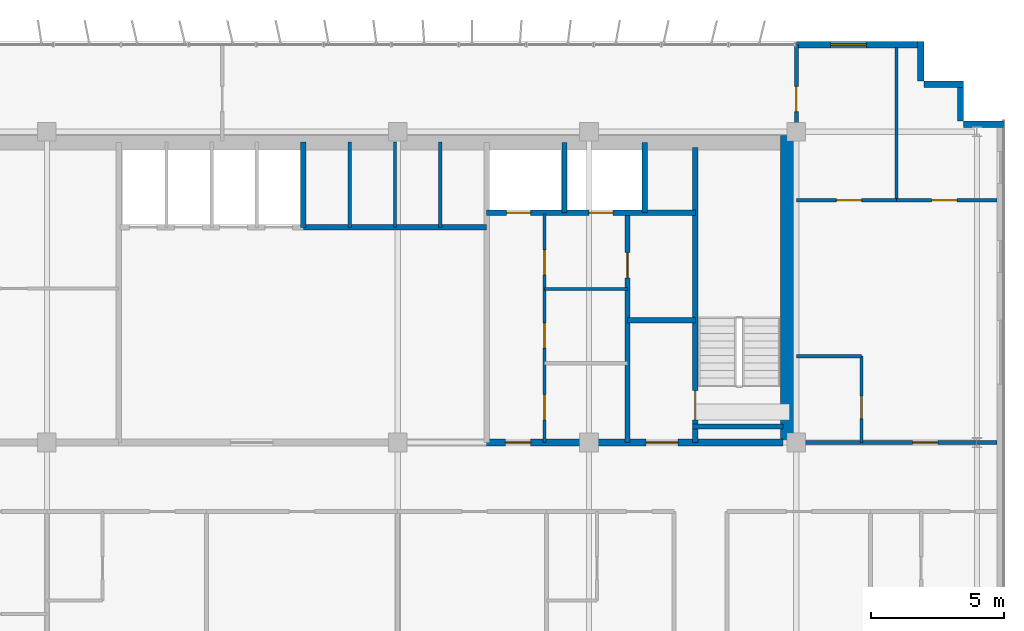
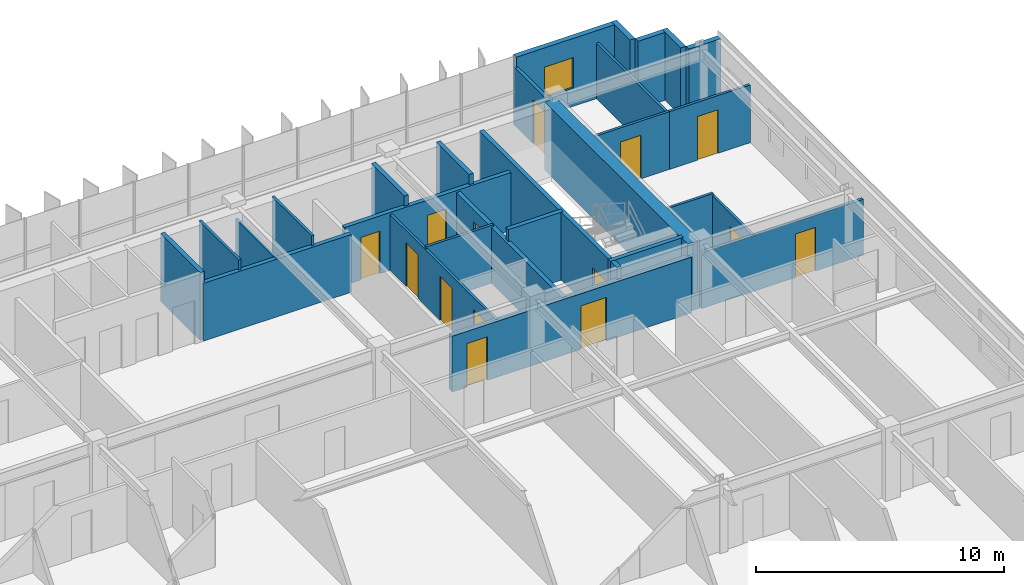
# One storey, part 18 of 21: 28 walls, 14 doors, 1 window, 15 openings.
"""IFC4 building model written with IfcOpenShell, lengths in metres."""

from ifc_helpers import new_model, si_unit, direction, frame, frame_2d, origin, place, context, subcontext, project, spatial, rectangle, extrude, source, transform, mapped, material, layer, layer_set, type_object, element, fill, save


model = new_model("IFC4")

# Units and contexts
model_context = context("Model", 3, precision=1e-05, world=origin(), true_north=direction((0.0, 1.0)))
body_context = subcontext(model_context, "Body", "Model", "MODEL_VIEW")
ifc_project = project(units=[si_unit("LENGTHUNIT", "METRE"), si_unit("AREAUNIT", "SQUARE_METRE"), si_unit("VOLUMEUNIT", "CUBIC_METRE"), si_unit("PLANEANGLEUNIT", "RADIAN"), si_unit("MASSUNIT", "GRAM", prefix="KILO")], contexts=[model_context])

# Site, building, storey
site_placement = place(None, origin())
site = spatial("IfcSite", under=ifc_project, at=site_placement, CompositionType="ELEMENT")
building_placement = place(site_placement, origin())
building = spatial("IfcBuilding", under=site, at=building_placement, Name="Trelvane Seafront Commons", CompositionType="ELEMENT")
storey_placement = place(building_placement, frame((0.0, 0.0, 157.300048828125)))
storey = spatial("IfcBuildingStorey", under=building, at=storey_placement, Name="L41", CompositionType="ELEMENT", Elevation=157.300048828125)

# Wall, opening, window
ifc_material_1 = material(Name="Precast concrete C40/50", Category="concrete")
ifc_layer_1 = layer(ifc_material_1, 0.239990234375, Name="ARCH-WALL-EXT240")
ifc_layer_set_1 = layer_set([ifc_layer_1], Name="Precast concrete C40/50")
wall_type_1 = type_object("IfcWallType", Name="ARCH-WALL-EXT240", PredefinedType="SOLIDWALL", material=ifc_layer_set_1)
wall_1_placement = place(storey_placement, frame((58.800048828125, 48.3701171875, 0.0), z_axis=(0.0, 0.0, 1.0), x_axis=(1.0, 0.0, 0.0)))
wall_1 = element("IfcWall", 1, at=wall_1_placement, inside=storey, type_object=wall_type_1, Name="EW-L41-NE-0801", PredefinedType="SOLIDWALL", context=body_context, shape_type="SweptSolid", body=[
    extrude(rectangle(XDim=4.699951171875, YDim=0.239990234375, at=frame_2d((2.35009765625, 0.0))), origin(), (0.0, 0.0, 1.0), 3.349853515625),
])
opening_1_placement = place(wall_1_placement, frame((1.29296875, 0.0, 0.89990234375)))
opening_1 = element("IfcOpeningElement", 2, at=opening_1_placement, cuts=wall_1, Name="Opening W09", PredefinedType="OPENING", context=body_context, shape_type="SweptSolid", body=[
    extrude(rectangle(XDim=1.35009765625, YDim=1.5, at=frame_2d((0.675048828125, 0.75))), frame((0.0, 0.1298828125, 0.0), z_axis=(0.0, -1.0, 0.0), x_axis=(1.0, 0.0, 0.0)), (0.0, 0.0, 1.0), 0.260009765625),
])
ifc_material_2 = material(Name="Low-E coastal double glazing", Category="glass")
window_type = type_object("IfcWindowType", Name="ARCH-WIN-W09", PartitioningType="SINGLE_PANEL", PredefinedType="WINDOW", material=ifc_material_2)
shared_shape_1 = source(origin(), body_context, "Body", "SweptSolid", [
    extrude(rectangle(XDim=1.35009765625, YDim=1.5, at=frame_2d((0.675048828125, 0.75))), frame((0.0, 0.030029296875, 0.0), z_axis=(0.0, -1.0, 0.0), x_axis=(1.0, 0.0, 0.0)), (0.0, 0.0, 1.0), 0.06005859375),
])
window_placement = place(opening_1_placement, origin())
window = element("IfcWindow", 3, at=window_placement, inside=storey, type_object=window_type, Name="WIN-L41-00955", OverallHeight=1.5, OverallWidth=1.35009765625, PartitioningType="SINGLE_PANEL", PredefinedType="WINDOW", context=body_context, shape_type="MappedRepresentation", body=[
    mapped(shared_shape_1, transform((0.0, 0.0, 0.0), x_axis=(1.0, 0.0, 0.0), y_axis=(0.0, 1.0, 0.0), z_axis=(0.0, 0.0, 1.0), scale=1.0)),
])
fill(opening_1, window)

# Walls
for number, where, z_axis, x_axis, name in (
    (4, (63.47998046875, 48.5, 0.0), (0.0, 0.0, 1.0), (0.0, -1.0, 0.0), "EW-L41-00810"),
    (5, (63.60009765625, 46.8798828125, 0.0), (0.0, 0.0, 1.0), (1.0, 0.0, 0.0), "EW-L41-00811"),
    (6, (64.97998046875, 47.0, 0.0), (0.0, 0.0, 1.0), (0.0, -1.0, 0.0), "EW-L41-00812"),
    (7, (65.10009765625, 45.3798828125, 0.0), (0.0, 0.0, 1.0), (1.0, 0.0, 0.0), "EW-L41-00813"),
):
    element("IfcWall", number, at=place(storey_placement, frame(where, z_axis=z_axis, x_axis=x_axis)), inside=storey, type_object=wall_type_1, Name=name, PredefinedType="SOLIDWALL", context=body_context, shape_type="SweptSolid", body=[
        extrude(rectangle(XDim=1.5, YDim=0.239990234375, at=frame_2d((0.75, 0.0))), origin(), (0.0, 0.0, 1.0), 3.349853515625),
    ])

# Wall, opening, door
ifc_material_3 = material(Name="Concrete C40/50", Category="concrete")
ifc_layer_2 = layer(ifc_material_3, 0.199951171875, Name="ARCH-WALL-FIRE200")
ifc_layer_set_2 = layer_set([ifc_layer_2], Name="Concrete C40/50")
wall_type_2 = type_object("IfcWallType", Name="ARCH-WALL-FIRE200", PredefinedType="PARTITIONING", material=ifc_layer_set_2)
wall_2_placement = place(storey_placement, frame((52.449951171875, 33.39990234375, 0.0), z_axis=(0.0, 0.0, 1.0), x_axis=(0.0, 1.0, 0.0)))
wall_2 = element("IfcWall", 8, at=wall_2_placement, inside=storey, type_object=wall_type_2, Name="W-L41-ST2V-W-031", PredefinedType="PARTITIONING", context=body_context, shape_type="SweptSolid", body=[
    extrude(rectangle(XDim=8.650146484375, YDim=0.199951171875, at=frame_2d((4.3251953125, 0.0))), origin(), (0.0, 0.0, 1.0), 2.75),
])
opening_2_placement = place(wall_2_placement, frame((6.199951171875, 0.0, 0.0)))
opening_2 = element("IfcOpeningElement", 9, at=opening_2_placement, cuts=wall_2, Name="Opening FD-L41-15", PredefinedType="OPENING", context=body_context, shape_type="SweptSolid", body=[
    extrude(rectangle(XDim=0.949951171875, YDim=2.14990234375, at=frame_2d((0.47509765625, 1.074951171875))), frame((0.0, 0.10986328125, 0.0), z_axis=(0.0, -1.0, 0.0), x_axis=(1.0, 0.0, 0.0)), (0.0, 0.0, 1.0), 0.219970703125),
])
ifc_material_4 = material(Name="Powder-coated aluminium frame", Category="aluminium")
door_type_1 = type_object("IfcDoorType", Name="ARCH-DR-FD60-950", OperationType="NOTDEFINED", PredefinedType="DOOR", material=ifc_material_4)
shared_shape_2 = source(origin(), body_context, "Body", "SweptSolid", [
    extrude(rectangle(XDim=0.949951171875, YDim=2.14990234375, at=frame_2d((0.47509765625, 1.074951171875))), frame((0.0, 0.02490234375, 0.0), z_axis=(0.0, -1.0, 0.0), x_axis=(1.0, 0.0, 0.0)), (0.0, 0.0, 1.0), 0.050048828125),
])
door_1_placement = place(opening_2_placement, origin())
door_1 = element("IfcDoor", 10, at=door_1_placement, inside=storey, type_object=door_type_1, Name="L41 Cleaner Store Door", OperationType="SINGLE_SWING_LEFT", OverallHeight=2.14990234375, OverallWidth=0.949951171875, PredefinedType="DOOR", context=body_context, shape_type="MappedRepresentation", body=[
    mapped(shared_shape_2, transform((0.0, 0.0, 0.0), x_axis=(1.0, 0.0, 0.0), y_axis=(0.0, 1.0, 0.0), z_axis=(0.0, 0.0, 1.0), scale=1.0)),
])
fill(opening_2, door_1)

# Wall
wall_3_placement = place(storey_placement, frame((52.449951171875, 38.0, 0.0), z_axis=(0.0, 0.0, 1.0), x_axis=(1.0, 0.0, 0.0)))
element("IfcWall", 11, at=wall_3_placement, inside=storey, type_object=wall_type_2, Name="W-L41-ST2V-N-032", PredefinedType="PARTITIONING", context=body_context, shape_type="SweptSolid", body=[
    extrude(rectangle(XDim=2.550048828125, YDim=0.199951171875, at=frame_2d((1.27490234375, 0.0))), origin(), (0.0, 0.0, 1.0), 3.349853515625),
])

# Wall, openings, doors
ifc_layer_3 = layer(ifc_material_3, 0.25, Name="ARCH-WALL-FIRE250")
ifc_layer_set_3 = layer_set([ifc_layer_3], Name="Concrete C40/50")
wall_type_3 = type_object("IfcWallType", Name="ARCH-WALL-FIRE250", PredefinedType="PARTITIONING", material=ifc_layer_set_3)
wall_4_placement = place(storey_placement, frame((47.14990234375, 33.39990234375, 0.0), z_axis=(0.0, 0.0, 1.0), x_axis=(1.0, 0.0, 0.0)))
wall_4 = element("IfcWall", 12, at=wall_4_placement, inside=storey, type_object=wall_type_3, Name="W-L41-CS-EAST-036", PredefinedType="PARTITIONING", context=body_context, shape_type="SweptSolid", body=[
    extrude(rectangle(XDim=11.150146484375, YDim=0.25, at=frame_2d((5.5751953125, 0.0))), origin(), (0.0, 0.0, 1.0), 2.75),
])
opening_3_placement = place(wall_4_placement, frame((0.699951171875, 0.0, 0.0)))
opening_3 = element("IfcOpeningElement", 13, at=opening_3_placement, cuts=wall_4, Name="Opening FD-L41-19", PredefinedType="OPENING", context=body_context, shape_type="SweptSolid", body=[
    extrude(rectangle(XDim=0.949951171875, YDim=2.14990234375, at=frame_2d((0.47509765625, 1.074951171875))), frame((0.0, 0.135009765625, 0.0), z_axis=(0.0, -1.0, 0.0), x_axis=(1.0, 0.0, 0.0)), (0.0, 0.0, 1.0), 0.27001953125),
])
opening_4_placement = place(wall_4_placement, frame((6.0, 0.0, 0.0)))
opening_4 = element("IfcOpeningElement", 14, at=opening_4_placement, cuts=wall_4, Name="Opening FD-L41-20", PredefinedType="OPENING", context=body_context, shape_type="SweptSolid", body=[
    extrude(rectangle(XDim=1.199951171875, YDim=2.14990234375, at=frame_2d((0.60009765625, 1.074951171875))), frame((0.0, 0.135009765625, 0.0), z_axis=(0.0, -1.0, 0.0), x_axis=(1.0, 0.0, 0.0)), (0.0, 0.0, 1.0), 0.27001953125),
])
door_2_placement = place(opening_3_placement, origin())
door_2 = element("IfcDoor", 15, at=door_2_placement, inside=storey, type_object=door_type_1, Name="L41 Core Service Lobby Door", OperationType="SINGLE_SWING_LEFT", OverallHeight=2.14990234375, OverallWidth=0.949951171875, PredefinedType="DOOR", context=body_context, shape_type="MappedRepresentation", body=[
    mapped(shared_shape_2, transform((0.0, 0.0, 0.0), x_axis=(1.0, 0.0, 0.0), y_axis=(0.0, 1.0, 0.0), z_axis=(0.0, 0.0, 1.0), scale=1.0)),
])
fill(opening_3, door_2)
door_type_2 = type_object("IfcDoorType", Name="ARCH-DR-FD60-1200", OperationType="NOTDEFINED", PredefinedType="DOOR", material=ifc_material_4)
shared_shape_3 = source(origin(), body_context, "Body", "SweptSolid", [
    extrude(rectangle(XDim=1.199951171875, YDim=2.14990234375, at=frame_2d((0.60009765625, 1.074951171875))), frame((0.0, 0.02490234375, 0.0), z_axis=(0.0, -1.0, 0.0), x_axis=(1.0, 0.0, 0.0)), (0.0, 0.0, 1.0), 0.050048828125),
])
door_3_placement = place(opening_4_placement, origin())
door_3 = element("IfcDoor", 16, at=door_3_placement, inside=storey, type_object=door_type_2, Name="L41 East Stair Vestibule Fire Door", OperationType="SINGLE_SWING_RIGHT", OverallHeight=2.14990234375, OverallWidth=1.199951171875, PredefinedType="DOOR", context=body_context, shape_type="MappedRepresentation", body=[
    mapped(shared_shape_3, transform((0.0, 0.0, 0.0), x_axis=(1.0, 0.0, 0.0), y_axis=(0.0, 1.0, 0.0), z_axis=(0.0, 0.0, 1.0), scale=1.0)),
])
fill(opening_4, door_3)

# Walls
ifc_material_5 = material(Name="Gypsum Drywall Acoustic Partition")
ifc_layer_4 = layer(ifc_material_5, 0.1201171875, Name="ARCH-WALL-PART120")
ifc_layer_set_4 = layer_set([ifc_layer_4], Name="Gypsum Drywall Acoustic Partition")
wall_type_4 = type_object("IfcWallType", Name="ARCH-WALL-PART120", PredefinedType="PARTITIONING", material=ifc_layer_set_4)
wall_5_placement = place(storey_placement, frame((42.0, 41.5, 0.0), z_axis=(0.0, 0.0, 1.0), x_axis=(0.0, 1.0, 0.0)))
element("IfcWall", 17, at=wall_5_placement, inside=storey, type_object=wall_type_4, Name="W-L41-PH-DIV1-022", PredefinedType="PARTITIONING", context=body_context, shape_type="SweptSolid", body=[
    extrude(rectangle(XDim=3.199951171875, YDim=0.1201171875, at=frame_2d((1.60009765625, 0.0))), origin(), (0.0, 0.0, 1.0), 3.349853515625),
])
wall_6_placement = place(storey_placement, frame((43.699951171875, 41.5, 0.0), z_axis=(0.0, 0.0, 1.0), x_axis=(0.0, 1.0, 0.0)))
element("IfcWall", 18, at=wall_6_placement, inside=storey, type_object=wall_type_4, Name="W-L41-PH-DIV2-023", PredefinedType="PARTITIONING", context=body_context, shape_type="SweptSolid", body=[
    extrude(rectangle(XDim=3.199951171875, YDim=0.1201171875, at=frame_2d((1.60009765625, 0.0))), origin(), (0.0, 0.0, 1.0), 2.849853515625),
])
wall_7_placement = place(storey_placement, frame((45.39990234375, 41.5, 0.0), z_axis=(0.0, 0.0, 1.0), x_axis=(0.0, 1.0, 0.0)))
element("IfcWall", 19, at=wall_7_placement, inside=storey, type_object=wall_type_4, Name="W-L41-PH-DIV3-024", PredefinedType="PARTITIONING", context=body_context, shape_type="SweptSolid", body=[
    extrude(rectangle(XDim=3.199951171875, YDim=0.1201171875, at=frame_2d((1.60009765625, 0.0))), origin(), (0.0, 0.0, 1.0), 3.349853515625),
])

# Wall, openings, doors
wall_8_placement = place(storey_placement, frame((49.320068359375, 33.39990234375, 0.0), z_axis=(0.0, 0.0, 1.0), x_axis=(0.0, 1.0, 0.0)))
wall_8 = element("IfcWall", 20, at=wall_8_placement, inside=storey, type_object=wall_type_4, Name="W-L41-CYC3-V-033", PredefinedType="PARTITIONING", context=body_context, shape_type="SweptSolid", body=[
    extrude(rectangle(XDim=8.60009765625, YDim=0.1201171875, at=frame_2d((4.300048828125, 0.0))), origin(), (0.0, 0.0, 1.0), 2.75),
])
opening_5_placement = place(wall_8_placement, frame((0.85009765625, 0.0, 0.0)))
opening_5 = element("IfcOpeningElement", 21, at=opening_5_placement, cuts=wall_8, Name="Opening D-L41-16", PredefinedType="OPENING", context=body_context, shape_type="SweptSolid", body=[
    extrude(rectangle(XDim=0.949951171875, YDim=2.14990234375, at=frame_2d((0.47509765625, 1.074951171875))), frame((0.0, 0.070068359375, 0.0), z_axis=(0.0, -1.0, 0.0), x_axis=(1.0, 0.0, 0.0)), (0.0, 0.0, 1.0), 0.14013671875),
])
opening_6_placement = place(wall_8_placement, frame((3.550048828125, 0.0, 0.0)))
opening_6 = element("IfcOpeningElement", 22, at=opening_6_placement, cuts=wall_8, Name="Opening D-L41-17", PredefinedType="OPENING", context=body_context, shape_type="SweptSolid", body=[
    extrude(rectangle(XDim=0.949951171875, YDim=2.14990234375, at=frame_2d((0.47509765625, 1.074951171875))), frame((0.0, 0.070068359375, 0.0), z_axis=(0.0, -1.0, 0.0), x_axis=(1.0, 0.0, 0.0)), (0.0, 0.0, 1.0), 0.14013671875),
])
opening_7_placement = place(wall_8_placement, frame((6.300048828125, 0.0, 0.0)))
opening_7 = element("IfcOpeningElement", 23, at=opening_7_placement, cuts=wall_8, Name="Opening D-L41-18", PredefinedType="OPENING", context=body_context, shape_type="SweptSolid", body=[
    extrude(rectangle(XDim=0.949951171875, YDim=2.14990234375, at=frame_2d((0.47509765625, 1.074951171875))), frame((0.0, 0.070068359375, 0.0), z_axis=(0.0, -1.0, 0.0), x_axis=(1.0, 0.0, 0.0)), (0.0, 0.0, 1.0), 0.14013671875),
])
ifc_material_6 = material(Name="Acoustic timber door leaf", Category="wood")
door_type_3 = type_object("IfcDoorType", Name="ARCH-DR-INT950", OperationType="NOTDEFINED", PredefinedType="DOOR", material=ifc_material_6)
door_4_placement = place(opening_5_placement, origin())
door_4 = element("IfcDoor", 24, at=door_4_placement, inside=storey, type_object=door_type_3, Name="L41 Accessible WC Door", OperationType="SINGLE_SWING_RIGHT", OverallHeight=2.14990234375, OverallWidth=0.949951171875, PredefinedType="DOOR", context=body_context, shape_type="MappedRepresentation", body=[
    mapped(shared_shape_2, transform((0.0, 0.0, 0.0), x_axis=(1.0, 0.0, 0.0), y_axis=(0.0, 1.0, 0.0), z_axis=(0.0, 0.0, 1.0), scale=1.0)),
])
fill(opening_5, door_4)
door_5_placement = place(opening_6_placement, origin())
door_5 = element("IfcDoor", 25, at=door_5_placement, inside=storey, type_object=door_type_3, Name="L41 Staff WC Door", OperationType="SINGLE_SWING_LEFT", OverallHeight=2.14990234375, OverallWidth=0.949951171875, PredefinedType="DOOR", context=body_context, shape_type="MappedRepresentation", body=[
    mapped(shared_shape_2, transform((0.0, 0.0, 0.0), x_axis=(1.0, 0.0, 0.0), y_axis=(0.0, 1.0, 0.0), z_axis=(0.0, 0.0, 1.0), scale=1.0)),
])
fill(opening_6, door_5)
door_6_placement = place(opening_7_placement, origin())
door_6 = element("IfcDoor", 26, at=door_6_placement, inside=storey, type_object=door_type_3, Name="L41 Electrical Room Door", OperationType="SINGLE_SWING_RIGHT", OverallHeight=2.14990234375, OverallWidth=0.949951171875, PredefinedType="DOOR", context=body_context, shape_type="MappedRepresentation", body=[
    mapped(shared_shape_2, transform((0.0, 0.0, 0.0), x_axis=(1.0, 0.0, 0.0), y_axis=(0.0, 1.0, 0.0), z_axis=(0.0, 0.0, 1.0), scale=1.0)),
])
fill(opening_7, door_6)

# Wall
wall_9_placement = place(storey_placement, frame((49.320068359375, 39.179931640625, 0.0), z_axis=(0.0, 0.0, 1.0), x_axis=(1.0, 0.0, 0.0)))
element("IfcWall", 27, at=wall_9_placement, inside=storey, type_object=wall_type_4, Name="W-L41-CYC3-H2-035", PredefinedType="PARTITIONING", context=body_context, shape_type="SweptSolid", body=[
    extrude(rectangle(XDim=3.1298828125, YDim=0.1201171875, at=frame_2d((1.56494140625, 0.0))), origin(), (0.0, 0.0, 1.0), 2.849853515625),
])

# Wall, opening, door
wall_10_placement = place(storey_placement, frame((61.25, 33.39990234375, 0.0), z_axis=(0.0, 0.0, 1.0), x_axis=(0.0, 1.0, 0.0)))
wall_10 = element("IfcWall", 28, at=wall_10_placement, inside=storey, type_object=wall_type_4, Name="W-L41-NE-BE-038", PredefinedType="PARTITIONING", context=body_context, shape_type="SweptSolid", body=[
    extrude(rectangle(XDim=3.25, YDim=0.1201171875, at=frame_2d((1.625, 0.0))), origin(), (0.0, 0.0, 1.0), 2.75),
])
opening_8_placement = place(wall_10_placement, frame((0.89990234375, 0.0, 0.0)))
opening_8 = element("IfcOpeningElement", 29, at=opening_8_placement, cuts=wall_10, Name="Opening D-L41-22", PredefinedType="OPENING", context=body_context, shape_type="SweptSolid", body=[
    extrude(rectangle(XDim=0.85009765625, YDim=2.10009765625, at=frame_2d((0.425048828125, 1.050048828125))), frame((0.0, 0.070068359375, 0.0), z_axis=(0.0, -1.0, 0.0), x_axis=(1.0, 0.0, 0.0)), (0.0, 0.0, 1.0), 0.14013671875),
])
door_type_4 = type_object("IfcDoorType", Name="ARCH-DR-INT850", OperationType="NOTDEFINED", PredefinedType="DOOR", material=ifc_material_6)
shared_shape_4 = source(origin(), body_context, "Body", "SweptSolid", [
    extrude(rectangle(XDim=0.85009765625, YDim=2.10009765625, at=frame_2d((0.425048828125, 1.050048828125))), frame((0.0, 0.02490234375, 0.0), z_axis=(0.0, -1.0, 0.0), x_axis=(1.0, 0.0, 0.0)), (0.0, 0.0, 1.0), 0.050048828125),
])
door_7_placement = place(opening_8_placement, origin())
door_7 = element("IfcDoor", 30, at=door_7_placement, inside=storey, type_object=door_type_4, Name="L41 Door 22", OperationType="SINGLE_SWING_RIGHT", OverallHeight=2.10009765625, OverallWidth=0.85009765625, PredefinedType="DOOR", context=body_context, shape_type="MappedRepresentation", body=[
    mapped(shared_shape_4, transform((0.0, 0.0, 0.0), x_axis=(1.0, 0.0, 0.0), y_axis=(0.0, 1.0, 0.0), z_axis=(0.0, 0.0, 1.0), scale=1.0)),
])
fill(opening_8, door_7)

# Wall
wall_11_placement = place(storey_placement, frame((58.800048828125, 36.64990234375, 0.0), z_axis=(0.0, 0.0, 1.0), x_axis=(1.0, 0.0, 0.0)))
element("IfcWall", 31, at=wall_11_placement, inside=storey, type_object=wall_type_4, Name="W-L41-NE-BN-039", PredefinedType="PARTITIONING", context=body_context, shape_type="SweptSolid", body=[
    extrude(rectangle(XDim=2.449951171875, YDim=0.1201171875, at=frame_2d((1.22509765625, 0.0))), origin(), (0.0, 0.0, 1.0), 2.849853515625),
])

# Wall, opening, door
wall_12_placement = place(storey_placement, frame((58.800048828125, 42.52001953125, 0.0), z_axis=(0.0, 0.0, 1.0), x_axis=(1.0, 0.0, 0.0)))
wall_12 = element("IfcWall", 32, at=wall_12_placement, inside=storey, type_object=wall_type_4, Name="W-L41-NE-KB1-040", PredefinedType="PARTITIONING", context=body_context, shape_type="SweptSolid", body=[
    extrude(rectangle(XDim=3.77490234375, YDim=0.1201171875, at=frame_2d((1.887451171875, 0.0))), origin(), (0.0, 0.0, 1.0), 2.849853515625),
])
opening_9_placement = place(wall_12_placement, frame((1.506103515625, 0.0, 0.0)))
opening_9 = element("IfcOpeningElement", 33, at=opening_9_placement, cuts=wall_12, Name="Opening D-L41-23", PredefinedType="OPENING", context=body_context, shape_type="SweptSolid", body=[
    extrude(rectangle(XDim=0.949951171875, YDim=2.14990234375, at=frame_2d((0.47509765625, 1.074951171875))), frame((0.0, 0.070068359375, 0.0), z_axis=(0.0, -1.0, 0.0), x_axis=(1.0, 0.0, 0.0)), (0.0, 0.0, 1.0), 0.14013671875),
])
door_8_placement = place(opening_9_placement, origin())
door_8 = element("IfcDoor", 34, at=door_8_placement, inside=storey, type_object=door_type_3, Name="L41 Door 23", OperationType="SINGLE_SWING_LEFT", OverallHeight=2.14990234375, OverallWidth=0.949951171875, PredefinedType="DOOR", context=body_context, shape_type="MappedRepresentation", body=[
    mapped(shared_shape_2, transform((0.0, 0.0, 0.0), x_axis=(1.0, 0.0, 0.0), y_axis=(0.0, 1.0, 0.0), z_axis=(0.0, 0.0, 1.0), scale=1.0)),
])
fill(opening_9, door_8)

wall_13_placement = place(storey_placement, frame((62.574951171875, 42.52001953125, 0.0), z_axis=(0.0, 0.0, 1.0), x_axis=(1.0, 0.0, 0.0)))
wall_13 = element("IfcWall", 35, at=wall_13_placement, inside=storey, type_object=wall_type_4, Name="W-L41-NE-KB2-041", PredefinedType="PARTITIONING", context=body_context, shape_type="SweptSolid", body=[
    extrude(rectangle(XDim=3.775146484375, YDim=0.1201171875, at=frame_2d((1.8876953125, 0.0))), origin(), (0.0, 0.0, 1.0), 2.849853515625),
])
opening_10_placement = place(wall_13_placement, frame((1.319091796875, 0.0, 0.0)))
opening_10 = element("IfcOpeningElement", 36, at=opening_10_placement, cuts=wall_13, Name="Opening D-L41-24", PredefinedType="OPENING", context=body_context, shape_type="SweptSolid", body=[
    extrude(rectangle(XDim=0.949951171875, YDim=2.14990234375, at=frame_2d((0.47509765625, 1.074951171875))), frame((0.0, 0.070068359375, 0.0), z_axis=(0.0, -1.0, 0.0), x_axis=(1.0, 0.0, 0.0)), (0.0, 0.0, 1.0), 0.14013671875),
])
door_9_placement = place(opening_10_placement, origin())
door_9 = element("IfcDoor", 37, at=door_9_placement, inside=storey, type_object=door_type_3, Name="L41 Door 24", OperationType="SINGLE_SWING_RIGHT", OverallHeight=2.14990234375, OverallWidth=0.949951171875, PredefinedType="DOOR", context=body_context, shape_type="MappedRepresentation", body=[
    mapped(shared_shape_2, transform((0.0, 0.0, 0.0), x_axis=(1.0, 0.0, 0.0), y_axis=(0.0, 1.0, 0.0), z_axis=(0.0, 0.0, 1.0), scale=1.0)),
])
fill(opening_10, door_9)

# Wall
wall_14_placement = place(storey_placement, frame((62.574951171875, 42.52001953125, 0.0), z_axis=(0.0, 0.0, 1.0), x_axis=(0.0, 1.0, 0.0)))
element("IfcWall", 38, at=wall_14_placement, inside=storey, type_object=wall_type_4, Name="W-L41-NE-KBDV-042", PredefinedType="PARTITIONING", context=body_context, shape_type="SweptSolid", body=[
    extrude(rectangle(XDim=5.739990234375, YDim=0.1201171875, at=frame_2d((2.8701171875, 0.0))), origin(), (0.0, 0.0, 1.0), 2.75),
])

# Wall, opening, door
ifc_layer_5 = layer(ifc_material_5, 0.14990234375, Name="ARCH-WALL-PART150")
ifc_layer_set_5 = layer_set([ifc_layer_5], Name="Gypsum Drywall Acoustic Partition")
wall_type_5 = type_object("IfcWallType", Name="ARCH-WALL-PART150", PredefinedType="PARTITIONING", material=ifc_layer_set_5)
wall_15_placement = place(storey_placement, frame((58.800048828125, 33.39990234375, 0.0), z_axis=(0.0, 0.0, 1.0), x_axis=(1.0, 0.0, 0.0)))
wall_15 = element("IfcWall", 39, at=wall_15_placement, inside=storey, type_object=wall_type_5, Name="W-L41-NE-ENT-043", PredefinedType="PARTITIONING", context=body_context, shape_type="SweptSolid", body=[
    extrude(rectangle(XDim=7.550048828125, YDim=0.14990234375, at=frame_2d((3.77490234375, 0.0))), origin(), (0.0, 0.0, 1.0), 2.75),
])
opening_11_placement = place(wall_15_placement, frame((4.375, 0.0, 0.0)))
opening_11 = element("IfcOpeningElement", 40, at=opening_11_placement, cuts=wall_15, Name="Opening FD-L41-25", PredefinedType="OPENING", context=body_context, shape_type="SweptSolid", body=[
    extrude(rectangle(XDim=0.949951171875, YDim=2.14990234375, at=frame_2d((0.47509765625, 1.074951171875))), frame((0.0, 0.0849609375, 0.0), z_axis=(0.0, -1.0, 0.0), x_axis=(1.0, 0.0, 0.0)), (0.0, 0.0, 1.0), 0.169921875),
])
door_10_placement = place(opening_11_placement, origin())
door_10 = element("IfcDoor", 41, at=door_10_placement, inside=storey, type_object=door_type_1, Name="L41 NE Flat Entrance Door", OperationType="SINGLE_SWING_LEFT", OverallHeight=2.14990234375, OverallWidth=0.949951171875, PredefinedType="DOOR", context=body_context, shape_type="MappedRepresentation", body=[
    mapped(shared_shape_2, transform((0.0, 0.0, 0.0), x_axis=(1.0, 0.0, 0.0), y_axis=(0.0, 1.0, 0.0), z_axis=(0.0, 0.0, 1.0), scale=1.0)),
])
fill(opening_11, door_10)

wall_16_placement = place(storey_placement, frame((58.800048828125, 44.75, 0.0), z_axis=(0.0, 0.0, 1.0), x_axis=(0.0, 1.0, 0.0)))
wall_16 = element("IfcWall", 42, at=wall_16_placement, inside=storey, type_object=wall_type_5, Name="W-L41-N-LINK-E-046", PredefinedType="PARTITIONING", context=body_context, shape_type="SweptSolid", body=[
    extrude(rectangle(XDim=3.610107421875, YDim=0.14990234375, at=frame_2d((1.80517578125, 0.0))), origin(), (0.0, 0.0, 1.0), 2.849853515625),
])
opening_12_placement = place(wall_16_placement, frame((1.10009765625, 0.0, 0.0)))
opening_12 = element("IfcOpeningElement", 43, at=opening_12_placement, cuts=wall_16, Name="Opening FD-L41-28", PredefinedType="OPENING", context=body_context, shape_type="SweptSolid", body=[
    extrude(rectangle(XDim=0.949951171875, YDim=2.14990234375, at=frame_2d((0.47509765625, 1.074951171875))), frame((0.0, 0.0849609375, 0.0), z_axis=(0.0, -1.0, 0.0), x_axis=(1.0, 0.0, 0.0)), (0.0, 0.0, 1.0), 0.169921875),
])
door_11_placement = place(opening_12_placement, origin())
door_11 = element("IfcDoor", 44, at=door_11_placement, inside=storey, type_object=door_type_1, Name="L41 Door 28", OperationType="SINGLE_SWING_RIGHT", OverallHeight=2.14990234375, OverallWidth=0.949951171875, PredefinedType="DOOR", context=body_context, shape_type="MappedRepresentation", body=[
    mapped(shared_shape_2, transform((0.0, 0.0, 0.0), x_axis=(1.0, 0.0, 0.0), y_axis=(0.0, 1.0, 0.0), z_axis=(0.0, 0.0, 1.0), scale=1.0)),
])
fill(opening_12, door_11)

# Walls
ifc_layer_6 = layer(ifc_material_3, 0.199951171875, Name="ARCH-WALL-SHAFT200")
ifc_layer_set_6 = layer_set([ifc_layer_6], Name="Concrete C40/50")
wall_type_6 = type_object("IfcWallType", Name="ARCH-WALL-SHAFT200", PredefinedType="SOLIDWALL", material=ifc_layer_set_6)
wall_17_placement = place(storey_placement, frame((40.25, 41.5, 0.0), z_axis=(0.0, 0.0, 1.0), x_axis=(1.0, 0.0, 0.0)))
element("IfcWall", 45, at=wall_17_placement, inside=storey, type_object=wall_type_6, Name="W-L41-PH-FRONT-020", PredefinedType="SOLIDWALL", context=body_context, shape_type="SweptSolid", body=[
    extrude(rectangle(XDim=6.89990234375, YDim=0.199951171875, at=frame_2d((3.449951171875, 0.0))), origin(), (0.0, 0.0, 1.0), 2.849853515625),
])
wall_18_placement = place(storey_placement, frame((40.25, 41.5, 0.0), z_axis=(0.0, 0.0, 1.0), x_axis=(0.0, 1.0, 0.0)))
element("IfcWall", 46, at=wall_18_placement, inside=storey, type_object=wall_type_6, Name="W-L41-PH-WEST-SH-021", PredefinedType="SOLIDWALL", context=body_context, shape_type="SweptSolid", body=[
    extrude(rectangle(XDim=3.199951171875, YDim=0.199951171875, at=frame_2d((1.60009765625, 0.0))), origin(), (0.0, 0.0, 1.0), 3.349853515625),
])

# Wall, openings, doors
wall_19_placement = place(storey_placement, frame((47.14990234375, 42.050048828125, 0.0), z_axis=(0.0, 0.0, 1.0), x_axis=(1.0, 0.0, 0.0)))
wall_19 = element("IfcWall", 47, at=wall_19_placement, inside=storey, type_object=wall_type_6, Name="W-L41-RSR-S-028", PredefinedType="SOLIDWALL", context=body_context, shape_type="SweptSolid", body=[
    extrude(rectangle(XDim=7.85009765625, YDim=0.199951171875, at=frame_2d((3.925048828125, 0.0))), origin(), (0.0, 0.0, 1.0), 2.849853515625),
])
opening_13_placement = place(wall_19_placement, frame((0.75, 0.0, 0.0)))
opening_13 = element("IfcOpeningElement", 48, at=opening_13_placement, cuts=wall_19, Name="Opening FD-L41-13", PredefinedType="OPENING", context=body_context, shape_type="SweptSolid", body=[
    extrude(rectangle(XDim=0.89990234375, YDim=2.10009765625, at=frame_2d((0.449951171875, 1.050048828125))), frame((0.0, 0.10986328125, 0.0), z_axis=(0.0, -1.0, 0.0), x_axis=(1.0, 0.0, 0.0)), (0.0, 0.0, 1.0), 0.219970703125),
])
opening_14_placement = place(wall_19_placement, frame((3.85009765625, 0.0, 0.0)))
opening_14 = element("IfcOpeningElement", 49, at=opening_14_placement, cuts=wall_19, Name="Opening FD-L41-14", PredefinedType="OPENING", context=body_context, shape_type="SweptSolid", body=[
    extrude(rectangle(XDim=0.89990234375, YDim=2.10009765625, at=frame_2d((0.449951171875, 1.050048828125))), frame((0.0, 0.10986328125, 0.0), z_axis=(0.0, -1.0, 0.0), x_axis=(1.0, 0.0, 0.0)), (0.0, 0.0, 1.0), 0.219970703125),
])
door_type_5 = type_object("IfcDoorType", Name="ARCH-DR-FD60-900", OperationType="NOTDEFINED", PredefinedType="DOOR", material=ifc_material_4)
shared_shape_5 = source(origin(), body_context, "Body", "SweptSolid", [
    extrude(rectangle(XDim=0.89990234375, YDim=2.10009765625, at=frame_2d((0.449951171875, 1.050048828125))), frame((0.0, 0.02490234375, 0.0), z_axis=(0.0, -1.0, 0.0), x_axis=(1.0, 0.0, 0.0)), (0.0, 0.0, 1.0), 0.050048828125),
])
door_12_placement = place(opening_13_placement, origin())
door_12 = element("IfcDoor", 50, at=door_12_placement, inside=storey, type_object=door_type_5, Name="L41 Electrical Riser Access Door", OperationType="SINGLE_SWING_LEFT", OverallHeight=2.10009765625, OverallWidth=0.89990234375, PredefinedType="DOOR", context=body_context, shape_type="MappedRepresentation", body=[
    mapped(shared_shape_5, transform((0.0, 0.0, 0.0), x_axis=(1.0, 0.0, 0.0), y_axis=(0.0, 1.0, 0.0), z_axis=(0.0, 0.0, 1.0), scale=1.0)),
])
fill(opening_13, door_12)
door_13_placement = place(opening_14_placement, origin())
door_13 = element("IfcDoor", 51, at=door_13_placement, inside=storey, type_object=door_type_5, Name="L41 Mechanical Riser Access Door", OperationType="SINGLE_SWING_RIGHT", OverallHeight=2.10009765625, OverallWidth=0.89990234375, PredefinedType="DOOR", context=body_context, shape_type="MappedRepresentation", body=[
    mapped(shared_shape_5, transform((0.0, 0.0, 0.0), x_axis=(1.0, 0.0, 0.0), y_axis=(0.0, 1.0, 0.0), z_axis=(0.0, 0.0, 1.0), scale=1.0)),
])
fill(opening_14, door_13)

# Walls
for number, where, z_axis, x_axis, name in (
    (52, (50.080078125, 42.050048828125, 0.0), (0.0, 0.0, 1.0), (0.0, 1.0, 0.0), "W-L41-RSR-DIV-029"),
    (53, (53.10009765625, 42.050048828125, 0.0), (0.0, 0.0, 1.0), (0.0, 1.0, 0.0), "W-L41-RSR-E-030"),
):
    element("IfcWall", number, at=place(storey_placement, frame(where, z_axis=z_axis, x_axis=x_axis)), inside=storey, type_object=wall_type_6, Name=name, PredefinedType="SOLIDWALL", context=body_context, shape_type="SweptSolid", body=[
        extrude(rectangle(XDim=2.64990234375, YDim=0.199951171875, at=frame_2d((1.324951171875, 0.0))), origin(), (0.0, 0.0, 1.0), 3.349853515625),
    ])
ifc_material_7 = material(Name="Concrete C50/60", Category="concrete")
ifc_layer_7 = layer(ifc_material_7, 0.550048828125, Name="STR-WALL-CORE550")
ifc_layer_set_7 = layer_set([ifc_layer_7], Name="Concrete C50/60")
wall_type_7 = type_object("IfcWallType", Name="STR-WALL-CORE550", PredefinedType="SHEAR", material=ifc_layer_set_7)
wall_20_placement = place(storey_placement, frame((58.47509765625, 33.39990234375, 0.0), z_axis=(0.0, 0.0, 1.0), x_axis=(0.0, 1.0, 0.0)))
element("IfcWall", 54, at=wall_20_placement, inside=storey, type_object=wall_type_7, Name="W-L41-CE-END-003", PredefinedType="SHEAR", context=body_context, shape_type="SweptSolid", body=[
    extrude(rectangle(XDim=11.550048828125, YDim=0.550048828125, at=frame_2d((5.77490234375, 0.0))), origin(), (0.0, 0.0, 1.0), 3.349853515625),
])
ifc_layer_8 = layer(ifc_material_7, 0.199951171875, Name="STR-WALL-STAIR200")
ifc_layer_set_8 = layer_set([ifc_layer_8], Name="Concrete C50/60")
wall_type_8 = type_object("IfcWallType", Name="STR-WALL-STAIR200", PredefinedType="SHEAR", material=ifc_layer_set_8)
wall_21_placement = place(storey_placement, frame((54.89990234375, 34.0, 0.0), z_axis=(0.0, 0.0, 1.0), x_axis=(1.0, 0.0, 0.0)))
element("IfcWall", 55, at=wall_21_placement, inside=storey, type_object=wall_type_8, Name="W-L41-ST2-S-006", PredefinedType="SHEAR", context=body_context, shape_type="SweptSolid", body=[
    extrude(rectangle(XDim=3.400146484375, YDim=0.199951171875, at=frame_2d((1.7001953125, 0.0))), origin(), (0.0, 0.0, 1.0), 3.349853515625),
])

# Wall, opening, door
wall_22_placement = place(storey_placement, frame((55.0, 33.39990234375, 0.0), z_axis=(0.0, 0.0, 1.0), x_axis=(0.0, 1.0, 0.0)))
wall_22 = element("IfcWall", 56, at=wall_22_placement, inside=storey, type_object=wall_type_8, Name="W-L41-ST2-W-007", PredefinedType="SHEAR", context=body_context, shape_type="SweptSolid", body=[
    extrude(rectangle(XDim=11.10009765625, YDim=0.199951171875, at=frame_2d((5.550048828125, 0.0))), origin(), (0.0, 0.0, 1.0), 3.349853515625),
])
opening_15_placement = place(wall_22_placement, frame((0.85009765625, 0.0, 0.0)))
opening_15 = element("IfcOpeningElement", 57, at=opening_15_placement, cuts=wall_22, Name="Opening ST-D2-L41", PredefinedType="OPENING", context=body_context, shape_type="SweptSolid", body=[
    extrude(rectangle(XDim=1.10009765625, YDim=2.14990234375, at=frame_2d((0.550048828125, 1.074951171875))), frame((0.0, 0.10986328125, 0.0), z_axis=(0.0, -1.0, 0.0), x_axis=(1.0, 0.0, 0.0)), (0.0, 0.0, 1.0), 0.219970703125),
])
door_type_6 = type_object("IfcDoorType", Name="ARCH-DR-FD90-1100", OperationType="NOTDEFINED", PredefinedType="DOOR", material=ifc_material_4)
shared_shape_6 = source(origin(), body_context, "Body", "SweptSolid", [
    extrude(rectangle(XDim=1.10009765625, YDim=2.14990234375, at=frame_2d((0.550048828125, 1.074951171875))), frame((0.0, 0.02490234375, 0.0), z_axis=(0.0, -1.0, 0.0), x_axis=(1.0, 0.0, 0.0)), (0.0, 0.0, 1.0), 0.050048828125),
])
door_14_placement = place(opening_15_placement, origin())
door_14 = element("IfcDoor", 58, at=door_14_placement, inside=storey, type_object=door_type_6, Name="L41 Stair ST-2 Vestibule Fire Door", OperationType="SINGLE_SWING_RIGHT", OverallHeight=2.14990234375, OverallWidth=1.10009765625, PredefinedType="DOOR", context=body_context, shape_type="MappedRepresentation", body=[
    mapped(shared_shape_6, transform((0.0, 0.0, 0.0), x_axis=(1.0, 0.0, 0.0), y_axis=(0.0, 1.0, 0.0), z_axis=(0.0, 0.0, 1.0), scale=1.0)),
])
fill(opening_15, door_14)

save(model, "model.ifc")
